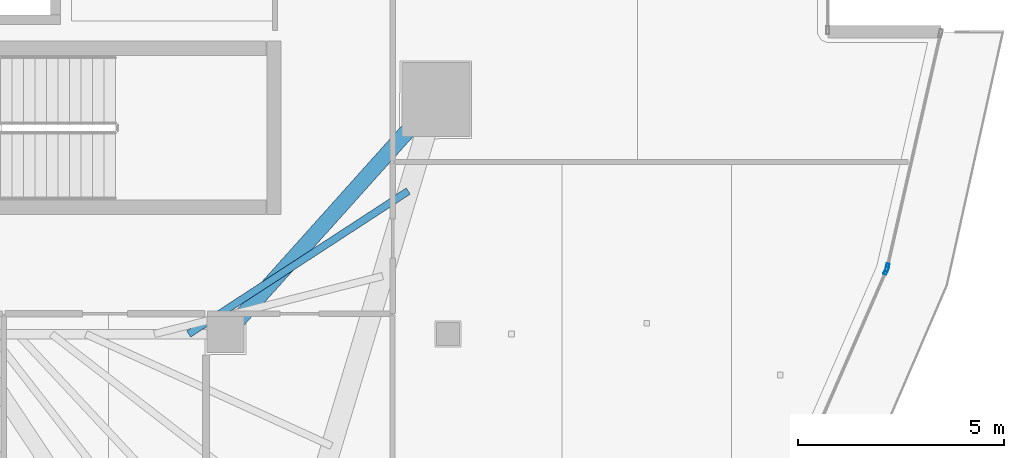
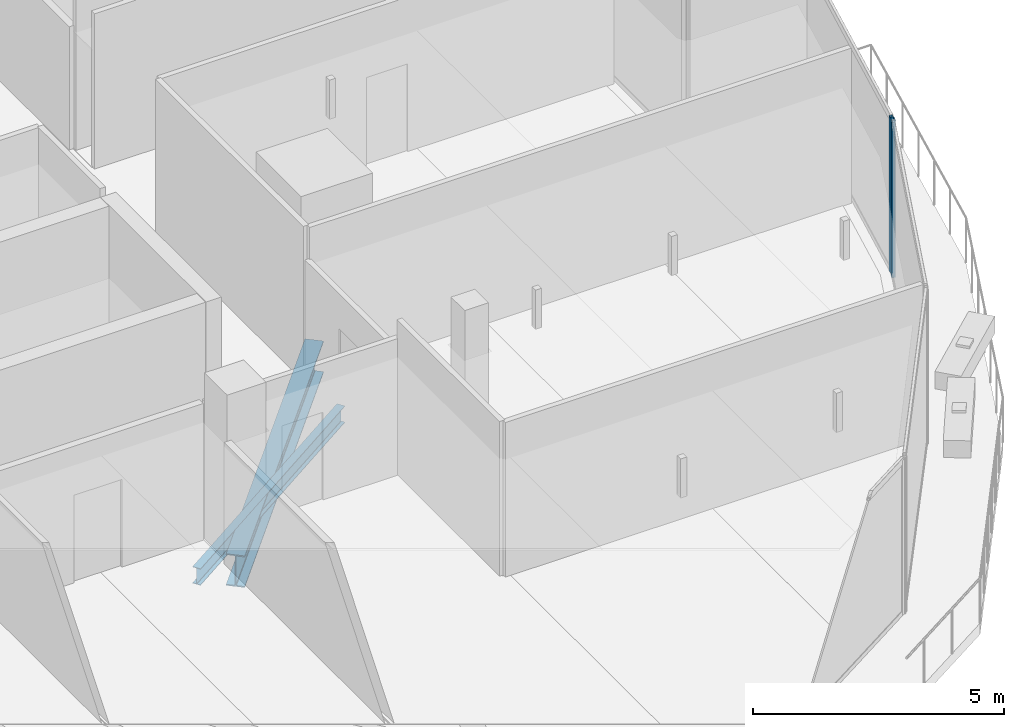
# One storey, part 10 of 32: 2 beams, 2 members, 2 elements without a shape of their own.
"""IFC4 building model written with IfcOpenShell, lengths in metres."""

import ifcopenshell
import ifcopenshell.guid

model = None  # the IFC model being written
_history = None  # IfcOwnerHistory: only IFC2X3 demands one
_inside = {}  # id of a spatial element -> (the spatial element, [elements in it])
_under = {}  # id of a project, library or spatial element -> (it, [spatial elements below it])
_declared = {}  # id of a project -> (the project, [libraries it declares])
_typed = {}  # id of a type object -> (the type object, [elements of that type])
_made_of = {}  # id of a material, layer set ... -> (it, [elements and type objects made of it])


def new_model(schema):
    """Start an empty IFC model of exactly this schema.

    Asked for "IFC4X3", IfcOpenShell would pick the latest addendum, in which some entities
    have other attributes; the version numbers below select the first issue.
    IFC2X3 requires an IfcOwnerHistory on every rooted entity: one is made here for all.
    """
    global model, _history
    if schema == "IFC4X3":
        model = ifcopenshell.file(schema_version=(4, 3, 0, 0))
    else:
        model = ifcopenshell.file(schema=schema)
    _inside.clear()
    _under.clear()
    _declared.clear()
    _typed.clear()
    _made_of.clear()
    _history = None
    if model.schema == "IFC2X3":
        org = make("IfcOrganization", Name="unknown")
        user = make(
            "IfcPersonAndOrganization",
            ThePerson=make("IfcPerson", FamilyName="unknown"),
            TheOrganization=org,
        )
        app = make(
            "IfcApplication",
            ApplicationDeveloper=org,
            Version="unknown",
            ApplicationFullName="unknown",
            ApplicationIdentifier="unknown",
        )
        _history = make(
            "IfcOwnerHistory",
            OwningUser=user,
            OwningApplication=app,
            ChangeAction="ADDED",
            CreationDate=0,
        )
    return model


def make(cls, **values):
    """One entity of the class cls with the attributes given. An attribute that is None is left unset."""
    return model.create_entity(
        cls, **{name: value for name, value in values.items() if value is not None}
    )


def rooted(cls, **values):
    """An entity with a GlobalId (a new one), such as an element, a storey or a relation."""
    return make(cls, GlobalId=ifcopenshell.guid.new(), OwnerHistory=_history, **values)


def si_unit(unit_type, name, prefix=None):
    """IfcSIUnit, for example si_unit("LENGTHUNIT", "METRE", prefix="MILLI")."""
    return make("IfcSIUnit", UnitType=unit_type, Prefix=prefix, Name=name)


def assignment(units):
    """IfcUnitAssignment: the units of a project."""
    return None if units is None else make("IfcUnitAssignment", Units=units)


def point(xyz):
    """IfcCartesianPoint."""
    return None if xyz is None else make("IfcCartesianPoint", Coordinates=xyz)


def direction(xyz):
    """IfcDirection."""
    return None if xyz is None else make("IfcDirection", DirectionRatios=xyz)


def frame(location, z_axis=None, x_axis=None):
    """IfcAxis2Placement3D, a coordinate frame: its origin and axes. An axis left out is left unset."""
    return make(
        "IfcAxis2Placement3D",
        Location=point(location),
        Axis=direction(z_axis),
        RefDirection=direction(x_axis),
    )


def frame_2d(location, x_axis=None):
    """IfcAxis2Placement2D, a coordinate frame in the plane: its origin and x axis."""
    return make(
        "IfcAxis2Placement2D", Location=point(location), RefDirection=direction(x_axis)
    )


def origin():
    """The frame at (0, 0, 0) with its axes left unset."""
    return frame((0.0, 0.0, 0.0))


def origin_2d():
    """The frame at (0, 0) in the plane with its x axis left unset."""
    return frame_2d((0.0, 0.0))


def place(relative_to, where):
    """IfcLocalPlacement: puts the frame where relative to a parent placement (None: the world)."""
    return make(
        "IfcLocalPlacement", PlacementRelTo=relative_to, RelativePlacement=where
    )


def context(
    kind, dimensions, precision=None, world=None, true_north=None, identifier=None
):
    """IfcGeometricRepresentationContext, for example the 3D "Model" context."""
    return make(
        "IfcGeometricRepresentationContext",
        ContextIdentifier=identifier,
        ContextType=kind,
        CoordinateSpaceDimension=dimensions,
        Precision=precision,
        WorldCoordinateSystem=world,
        TrueNorth=true_north,
    )


def subcontext(parent, identifier, kind, view, scale=None):
    """IfcGeometricRepresentationSubContext, for example "Body" below "Model"."""
    return make(
        "IfcGeometricRepresentationSubContext",
        ContextIdentifier=identifier,
        ContextType=kind,
        ParentContext=parent,
        TargetScale=scale,
        TargetView=view,
    )


def project(units=None, contexts=None):
    """IfcProject with its units and contexts."""
    return rooted(
        "IfcProject",
        Name="project",
        RepresentationContexts=contexts,
        UnitsInContext=assignment(units),
    )


def spatial(cls, under=None, at=None, **own):
    """A site, building, storey or space (cls), placed at a placement, below another one or the project."""
    s = rooted(cls, ObjectPlacement=at, **own)
    if under is not None:
        _under.setdefault(under.id(), (under, []))[1].append(s)
    return s


def profile(cls, at=None, kind="AREA", **sizes):
    """A parametric profile (cls). Its sizes go by their IFC names, for example OverallWidth=200.0."""
    return make(cls, ProfileType=kind, Position=at, **sizes)


def hollow_rectangle(**sizes):
    """IfcRectangleHollowProfileDef."""
    return profile("IfcRectangleHollowProfileDef", **sizes)


def i_section(**sizes):
    """IfcIShapeProfileDef."""
    return profile("IfcIShapeProfileDef", **sizes)


def extrude(swept, where, along, depth):
    """IfcExtrudedAreaSolid: the profile swept, set in the frame where, extruded along a direction by depth."""
    return make(
        "IfcExtrudedAreaSolid",
        SweptArea=swept,
        Position=where,
        ExtrudedDirection=direction(along),
        Depth=depth,
    )


def shape(context_of_items, identifier, shape_type, items):
    """IfcShapeRepresentation: the items that make up one representation, for example the "Body"."""
    return make(
        "IfcShapeRepresentation",
        ContextOfItems=context_of_items,
        RepresentationIdentifier=identifier,
        RepresentationType=shape_type,
        Items=items,
    )


def material(Name=None, Category=None):
    """IfcMaterial."""
    return make("IfcMaterial", Name=Name, Category=Category)


def layer(
    of_material, thickness, ventilated=None, Name=None, Category=None, Priority=None
):
    """IfcMaterialLayer: one layer of a wall or slab, of a material (None: an air gap)."""
    return make(
        "IfcMaterialLayer",
        Material=of_material,
        LayerThickness=thickness,
        IsVentilated=ventilated,
        Name=Name,
        Category=Category,
        Priority=Priority,
    )


def layer_set(layers, Name=None):
    """IfcMaterialLayerSet."""
    return make("IfcMaterialLayerSet", MaterialLayers=layers, LayerSetName=Name)


def material_profile(
    of_material, cross_section, Name=None, Category=None, Priority=None
):
    """IfcMaterialProfile: a cross section and its material."""
    return make(
        "IfcMaterialProfile",
        Name=Name,
        Material=of_material,
        Profile=cross_section,
        Priority=Priority,
        Category=Category,
    )


def profile_set(profiles, Name=None, composite=None):
    """IfcMaterialProfileSet."""
    return make(
        "IfcMaterialProfileSet",
        Name=Name,
        MaterialProfiles=profiles,
        CompositeProfile=composite,
    )


def made_of(thing, what):
    """Note that an element or type object is made of a material, layer set ...; save() writes the relation."""
    if what is not None:
        _made_of.setdefault(what.id(), (what, []))[1].append(thing)
    return thing


def type_object(cls, material=None, **own):
    """A type object (cls), such as IfcWallType, which elements share."""
    return made_of(rooted(cls, **own), material)


def element(
    cls,
    number,
    at=None,
    inside=None,
    cuts=None,
    type_object=None,
    material=None,
    context=None,
    identifier="Body",
    shape_type=None,
    held_by="IfcProductDefinitionShape",
    body=None,
    shapes=None,
    **own,
):
    """One element of the class cls, such as IfcWall. Its Tag is "e" and its number.

    at: its placement. inside: the storey or other place that contains it. cuts: it is an
    opening in that element (IfcRelVoidsElement). A single representation is given by context,
    identifier, shape_type and body (its items); several are given by shapes. held_by: the class
    of the entity that holds the representations. save() writes the other relations.
    """
    e = rooted(cls, Tag="e%d" % number, ObjectPlacement=at, **own)
    if body is not None:
        shapes = [shape(context, identifier, shape_type, body)]
    if shapes is not None:
        e.Representation = make(held_by, Representations=shapes)
    if inside is not None:
        _inside.setdefault(inside.id(), (inside, []))[1].append(e)
    if cuts is not None:
        rooted(
            "IfcRelVoidsElement", RelatingBuildingElement=cuts, RelatedOpeningElement=e
        )
    if type_object is not None:
        _typed.setdefault(type_object.id(), (type_object, []))[1].append(e)
    return made_of(e, material)


def aggregate(whole, parts):
    """IfcRelAggregates: a whole, such as a stair, and the parts it consists of."""
    return rooted("IfcRelAggregates", RelatingObject=whole, RelatedObjects=parts)


def save(model, path):
    """Write the relations noted so far, then the file.

    IfcRelAggregates (storeys below a building ...), IfcRelContainedInSpatialStructure (elements
    in a storey), IfcRelDefinesByType, IfcRelAssociatesMaterial and IfcRelDeclares: one each for
    every whole, place, type object, material and project.
    """
    for whole, parts in _under.values():
        aggregate(whole, parts)
    for where, things in _inside.values():
        rooted(
            "IfcRelContainedInSpatialStructure",
            RelatedElements=things,
            RelatingStructure=where,
        )
    for kind, things in _typed.values():
        rooted("IfcRelDefinesByType", RelatedObjects=things, RelatingType=kind)
    for what, things in _made_of.values():
        rooted("IfcRelAssociatesMaterial", RelatedObjects=things, RelatingMaterial=what)
    for by, libraries in _declared.values():
        rooted("IfcRelDeclares", RelatingContext=by, RelatedDefinitions=libraries)
    model.write(path)


model = new_model("IFC4")

# Units and contexts
model_context = context("Model", 3, precision=1e-05, world=origin(), true_north=direction((0.0, 1.0)))
body_context = subcontext(model_context, "Body", "Model", "MODEL_VIEW")
ifc_project = project(units=[si_unit("LENGTHUNIT", "METRE"), si_unit("AREAUNIT", "SQUARE_METRE"), si_unit("VOLUMEUNIT", "CUBIC_METRE"), si_unit("PLANEANGLEUNIT", "RADIAN"), si_unit("MASSUNIT", "GRAM", prefix="KILO")], contexts=[model_context])

# Site, building, storey
site_placement = place(None, origin())
site = spatial("IfcSite", under=ifc_project, at=site_placement, CompositionType="ELEMENT")
building_placement = place(site_placement, origin())
building = spatial("IfcBuilding", under=site, at=building_placement, Name="Qorvath Tower", CompositionType="ELEMENT")
storey_placement = place(building_placement, frame((0.0, 0.0, 233.39990234375)))
storey = spatial("IfcBuildingStorey", under=building, at=storey_placement, Name="L54", CompositionType="ELEMENT", Elevation=233.39990234375)

# Beams
ifc_material_1 = material(Name="Steel ASTM A992 Grade 50", Category="steel")
ifc_material_profile_1 = material_profile(ifc_material_1, i_section(OverallWidth=0.381103515625, OverallDepth=0.77294921875, WebThickness=0.0166015625, FlangeThickness=0.027099609375, FilletRadius=0.01904296875, at=origin_2d()), Name="W30x173")
ifc_profile_set_1 = profile_set([ifc_material_profile_1], Name="Steel ASTM A992 Grade 50")
beam_type_1 = type_object("IfcBeamType", Name="BM-FG3", PredefinedType="BEAM", material=ifc_profile_set_1)
beam_1_placement = place(storey_placement, frame((-17.199951171875, -11.449951171875, -0.656494140625), z_axis=(0.667543184261, 0.744571082669, 0.0), x_axis=(-0.744571082669, 0.667543184261, 0.0)))
element("IfcBeam", 1, at=beam_1_placement, inside=storey, type_object=beam_type_1, Name="Radial Floor Girder CC3-MC4 L54", PredefinedType="BEAM", context=body_context, shape_type="SweptSolid", body=[
    extrude(i_section(OverallWidth=0.381103515625, OverallDepth=0.77294921875, WebThickness=0.0166015625, FlangeThickness=0.027099609375, FilletRadius=0.01904296875, at=origin_2d()), origin(), (0.0, 0.0, 1.0), 7.644775390625),
])
ifc_material_2 = material(Name="Steel ASTM A992 Grade 50", Category="steel")
ifc_material_profile_2 = material_profile(ifc_material_2, i_section(OverallWidth=0.177978515625, OverallDepth=0.406005859375, WebThickness=0.0078125, FlangeThickness=0.0126953125, FilletRadius=0.010986328125, at=origin_2d()), Name="W16x40")
ifc_profile_set_2 = profile_set([ifc_material_profile_2], Name="Steel ASTM A992 Grade 50")
beam_type_2 = type_object("IfcBeamType", Name="BM-FJ3", PredefinedType="JOIST", material=ifc_profile_set_2)
beam_2_placement = place(storey_placement, frame((-18.095947265625, -11.449951171875, -0.472900390625), z_axis=(0.838041756057, 0.545606098853, 0.0), x_axis=(-0.545606098853, 0.838041756057, 0.0)))
element("IfcBeam", 2, at=beam_2_placement, inside=storey, type_object=beam_type_2, Name="Composite Floor Joist SE1 L54", PredefinedType="JOIST", context=body_context, shape_type="SweptSolid", body=[
    extrude(i_section(OverallWidth=0.177978515625, OverallDepth=0.406005859375, WebThickness=0.0078125, FlangeThickness=0.0126953125, FilletRadius=0.010986328125, at=origin_2d()), origin(), (0.0, 0.0, 1.0), 6.36083984375),
])

# Curtain wall, member
ifc_material_3 = material(Name="Anodised aluminium and triple low-E glass", Category="aluminium")
ifc_layer = layer(ifc_material_3, 0.179931640625)
ifc_layer_set = layer_set([ifc_layer], Name="CW-SYS-5")
curtain_wall_type = type_object("IfcCurtainWallType", Name="CW-SYS-5", PredefinedType="NOTDEFINED", material=ifc_layer_set)
curtain_wall_1_placement = place(storey_placement, origin())
curtain_wall_1 = element("IfcCurtainWall", 3, at=curtain_wall_1_placement, inside=storey, type_object=curtain_wall_type, Name="Curtain Wall CW-5 CW-T-L54-8.1", PredefinedType="NOTDEFINED")
ifc_material_4 = material(Name="Anodised aluminium 6063-T6", Category="aluminium")
ifc_material_profile_3 = material_profile(ifc_material_4, hollow_rectangle(XDim=0.074951171875, YDim=0.199951171875, WallThickness=0.00390625, InnerFilletRadius=0.00390625, OuterFilletRadius=0.008056640625, at=origin_2d()), Name="CWM 200x75")
ifc_profile_set_3 = profile_set([ifc_material_profile_3], Name="Anodised aluminium 6063-T6")
member_type = type_object("IfcMemberType", Name="CWM-200", PredefinedType="MULLION", material=ifc_profile_set_3)
member_1_placement = place(storey_placement, frame((-1.1591796875, -9.910400390625, 0.0), z_axis=(0.0, 0.0, 1.0), x_axis=(-0.916728547594, 0.39951066322, 0.0)))
member_1 = element("IfcMember", 4, at=member_1_placement, type_object=member_type, Name="CW-5 mullion 2", PredefinedType="MULLION", context=body_context, shape_type="SweptSolid", body=[
    extrude(hollow_rectangle(XDim=0.074951171875, YDim=0.199951171875, WallThickness=0.00390625, InnerFilletRadius=0.00390625, OuterFilletRadius=0.008056640625, at=origin_2d()), origin(), (0.0, 0.0, 1.0), 3.780029296875),
])
aggregate(curtain_wall_1, [member_1])

curtain_wall_2_placement = place(storey_placement, origin())
curtain_wall_2 = element("IfcCurtainWall", 5, at=curtain_wall_2_placement, inside=storey, type_object=curtain_wall_type, Name="Curtain Wall CW-5 CW-T-L54-9.1", PredefinedType="NOTDEFINED")
member_2_placement = place(storey_placement, frame((-1.135986328125, -9.83935546875, 0.0), z_axis=(0.0, 0.0, 1.0), x_axis=(-0.975037173258, 0.222041687, 0.0)))
member_2 = element("IfcMember", 6, at=member_2_placement, type_object=member_type, Name="CW-5 mullion 1", PredefinedType="MULLION", context=body_context, shape_type="SweptSolid", body=[
    extrude(hollow_rectangle(XDim=0.074951171875, YDim=0.199951171875, WallThickness=0.00390625, InnerFilletRadius=0.00390625, OuterFilletRadius=0.008056640625, at=origin_2d()), origin(), (0.0, 0.0, 1.0), 3.780029296875),
])
aggregate(curtain_wall_2, [member_2])

save(model, "model.ifc")
